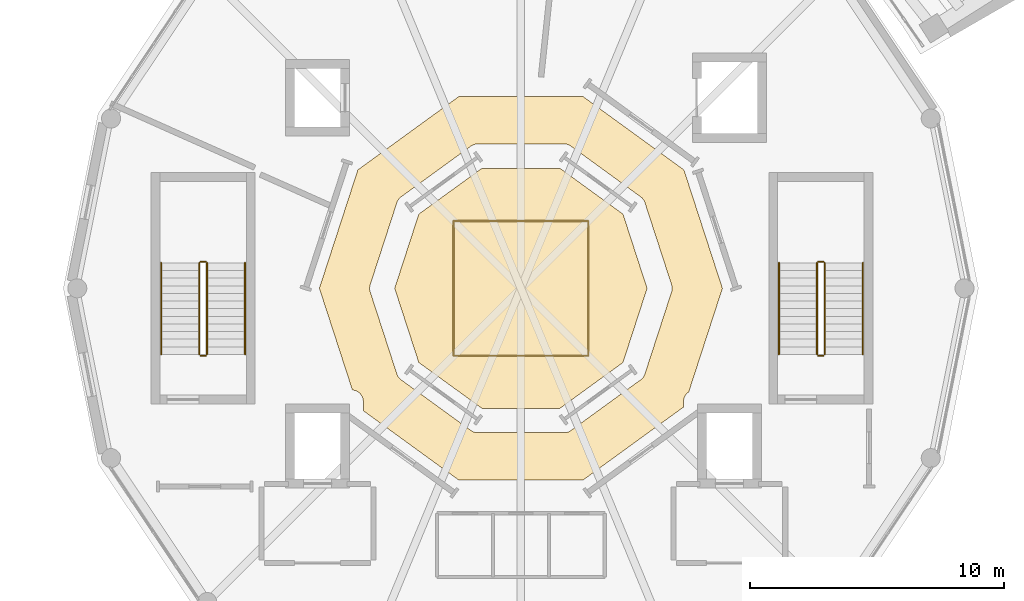
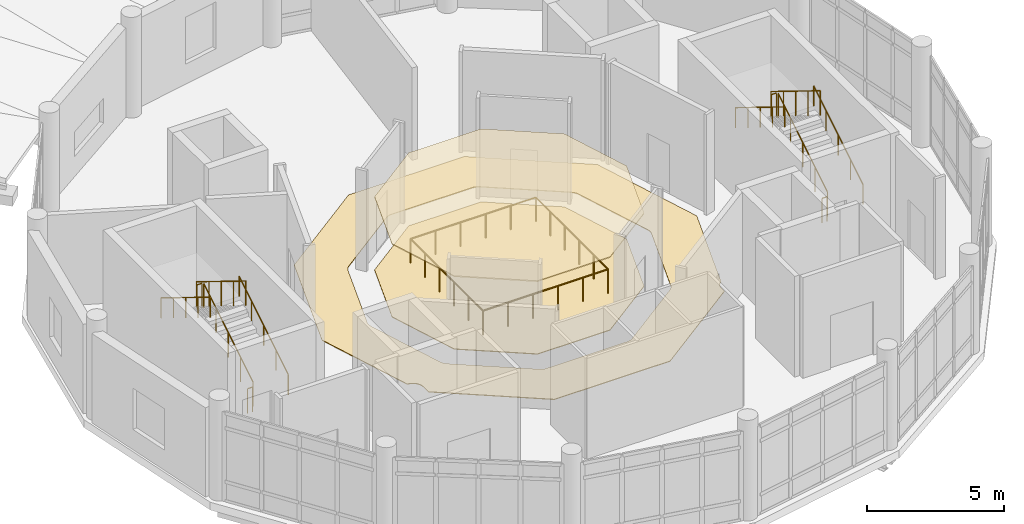
# One storey, part 25 of 27: 16 railings, 3 coverings.
"""IFC4 building model written with IfcOpenShell, lengths in metres."""

import ifcopenshell
import ifcopenshell.guid

model = None  # the IFC model being written
_history = None  # IfcOwnerHistory: only IFC2X3 demands one
_inside = {}  # id of a spatial element -> (the spatial element, [elements in it])
_under = {}  # id of a project, library or spatial element -> (it, [spatial elements below it])
_declared = {}  # id of a project -> (the project, [libraries it declares])
_typed = {}  # id of a type object -> (the type object, [elements of that type])
_made_of = {}  # id of a material, layer set ... -> (it, [elements and type objects made of it])


def new_model(schema):
    """Start an empty IFC model of exactly this schema.

    Asked for "IFC4X3", IfcOpenShell would pick the latest addendum, in which some entities
    have other attributes; the version numbers below select the first issue.
    IFC2X3 requires an IfcOwnerHistory on every rooted entity: one is made here for all.
    """
    global model, _history
    if schema == "IFC4X3":
        model = ifcopenshell.file(schema_version=(4, 3, 0, 0))
    else:
        model = ifcopenshell.file(schema=schema)
    _inside.clear()
    _under.clear()
    _declared.clear()
    _typed.clear()
    _made_of.clear()
    _history = None
    if model.schema == "IFC2X3":
        org = make("IfcOrganization", Name="unknown")
        user = make(
            "IfcPersonAndOrganization",
            ThePerson=make("IfcPerson", FamilyName="unknown"),
            TheOrganization=org,
        )
        app = make(
            "IfcApplication",
            ApplicationDeveloper=org,
            Version="unknown",
            ApplicationFullName="unknown",
            ApplicationIdentifier="unknown",
        )
        _history = make(
            "IfcOwnerHistory",
            OwningUser=user,
            OwningApplication=app,
            ChangeAction="ADDED",
            CreationDate=0,
        )
    return model


def make(cls, **values):
    """One entity of the class cls with the attributes given. An attribute that is None is left unset."""
    return model.create_entity(
        cls, **{name: value for name, value in values.items() if value is not None}
    )


def rooted(cls, **values):
    """An entity with a GlobalId (a new one), such as an element, a storey or a relation."""
    return make(cls, GlobalId=ifcopenshell.guid.new(), OwnerHistory=_history, **values)


def si_unit(unit_type, name, prefix=None):
    """IfcSIUnit, for example si_unit("LENGTHUNIT", "METRE", prefix="MILLI")."""
    return make("IfcSIUnit", UnitType=unit_type, Prefix=prefix, Name=name)


def assignment(units):
    """IfcUnitAssignment: the units of a project."""
    return None if units is None else make("IfcUnitAssignment", Units=units)


def point(xyz):
    """IfcCartesianPoint."""
    return None if xyz is None else make("IfcCartesianPoint", Coordinates=xyz)


def direction(xyz):
    """IfcDirection."""
    return None if xyz is None else make("IfcDirection", DirectionRatios=xyz)


def frame(location, z_axis=None, x_axis=None):
    """IfcAxis2Placement3D, a coordinate frame: its origin and axes. An axis left out is left unset."""
    return make(
        "IfcAxis2Placement3D",
        Location=point(location),
        Axis=direction(z_axis),
        RefDirection=direction(x_axis),
    )


def frame_2d(location, x_axis=None):
    """IfcAxis2Placement2D, a coordinate frame in the plane: its origin and x axis."""
    return make(
        "IfcAxis2Placement2D", Location=point(location), RefDirection=direction(x_axis)
    )


def origin():
    """The frame at (0, 0, 0) with its axes left unset."""
    return frame((0.0, 0.0, 0.0))


def origin_2d():
    """The frame at (0, 0) in the plane with its x axis left unset."""
    return frame_2d((0.0, 0.0))


def place(relative_to, where):
    """IfcLocalPlacement: puts the frame where relative to a parent placement (None: the world)."""
    return make(
        "IfcLocalPlacement", PlacementRelTo=relative_to, RelativePlacement=where
    )


def context(
    kind, dimensions, precision=None, world=None, true_north=None, identifier=None
):
    """IfcGeometricRepresentationContext, for example the 3D "Model" context."""
    return make(
        "IfcGeometricRepresentationContext",
        ContextIdentifier=identifier,
        ContextType=kind,
        CoordinateSpaceDimension=dimensions,
        Precision=precision,
        WorldCoordinateSystem=world,
        TrueNorth=true_north,
    )


def subcontext(parent, identifier, kind, view, scale=None):
    """IfcGeometricRepresentationSubContext, for example "Body" below "Model"."""
    return make(
        "IfcGeometricRepresentationSubContext",
        ContextIdentifier=identifier,
        ContextType=kind,
        ParentContext=parent,
        TargetScale=scale,
        TargetView=view,
    )


def project(units=None, contexts=None):
    """IfcProject with its units and contexts."""
    return rooted(
        "IfcProject",
        Name="project",
        RepresentationContexts=contexts,
        UnitsInContext=assignment(units),
    )


def spatial(cls, under=None, at=None, **own):
    """A site, building, storey or space (cls), placed at a placement, below another one or the project."""
    s = rooted(cls, ObjectPlacement=at, **own)
    if under is not None:
        _under.setdefault(under.id(), (under, []))[1].append(s)
    return s


def polyline(points):
    """IfcPolyline through the points."""
    return make("IfcPolyline", Points=[point(p) for p in points])


def profile(cls, at=None, kind="AREA", **sizes):
    """A parametric profile (cls). Its sizes go by their IFC names, for example OverallWidth=200.0."""
    return make(cls, ProfileType=kind, Position=at, **sizes)


def circle(**sizes):
    """IfcCircleProfileDef."""
    return profile("IfcCircleProfileDef", **sizes)


def outline(outer, holes=None, kind="AREA"):
    """IfcArbitraryClosedProfileDef: a profile drawn as a closed curve; with holes, ...WithVoids."""
    if holes is None:
        return make("IfcArbitraryClosedProfileDef", ProfileType=kind, OuterCurve=outer)
    return make(
        "IfcArbitraryProfileDefWithVoids",
        ProfileType=kind,
        OuterCurve=outer,
        InnerCurves=holes,
    )


def extrude(swept, where, along, depth):
    """IfcExtrudedAreaSolid: the profile swept, set in the frame where, extruded along a direction by depth."""
    return make(
        "IfcExtrudedAreaSolid",
        SweptArea=swept,
        Position=where,
        ExtrudedDirection=direction(along),
        Depth=depth,
    )


def shape(context_of_items, identifier, shape_type, items):
    """IfcShapeRepresentation: the items that make up one representation, for example the "Body"."""
    return make(
        "IfcShapeRepresentation",
        ContextOfItems=context_of_items,
        RepresentationIdentifier=identifier,
        RepresentationType=shape_type,
        Items=items,
    )


def material(Name=None, Category=None):
    """IfcMaterial."""
    return make("IfcMaterial", Name=Name, Category=Category)


def layer(
    of_material, thickness, ventilated=None, Name=None, Category=None, Priority=None
):
    """IfcMaterialLayer: one layer of a wall or slab, of a material (None: an air gap)."""
    return make(
        "IfcMaterialLayer",
        Material=of_material,
        LayerThickness=thickness,
        IsVentilated=ventilated,
        Name=Name,
        Category=Category,
        Priority=Priority,
    )


def layer_set(layers, Name=None):
    """IfcMaterialLayerSet."""
    return make("IfcMaterialLayerSet", MaterialLayers=layers, LayerSetName=Name)


def made_of(thing, what):
    """Note that an element or type object is made of a material, layer set ...; save() writes the relation."""
    if what is not None:
        _made_of.setdefault(what.id(), (what, []))[1].append(thing)
    return thing


def type_object(cls, material=None, **own):
    """A type object (cls), such as IfcWallType, which elements share."""
    return made_of(rooted(cls, **own), material)


def element(
    cls,
    number,
    at=None,
    inside=None,
    cuts=None,
    type_object=None,
    material=None,
    context=None,
    identifier="Body",
    shape_type=None,
    held_by="IfcProductDefinitionShape",
    body=None,
    shapes=None,
    **own,
):
    """One element of the class cls, such as IfcWall. Its Tag is "e" and its number.

    at: its placement. inside: the storey or other place that contains it. cuts: it is an
    opening in that element (IfcRelVoidsElement). A single representation is given by context,
    identifier, shape_type and body (its items); several are given by shapes. held_by: the class
    of the entity that holds the representations. save() writes the other relations.
    """
    e = rooted(cls, Tag="e%d" % number, ObjectPlacement=at, **own)
    if body is not None:
        shapes = [shape(context, identifier, shape_type, body)]
    if shapes is not None:
        e.Representation = make(held_by, Representations=shapes)
    if inside is not None:
        _inside.setdefault(inside.id(), (inside, []))[1].append(e)
    if cuts is not None:
        rooted(
            "IfcRelVoidsElement", RelatingBuildingElement=cuts, RelatedOpeningElement=e
        )
    if type_object is not None:
        _typed.setdefault(type_object.id(), (type_object, []))[1].append(e)
    return made_of(e, material)


def aggregate(whole, parts):
    """IfcRelAggregates: a whole, such as a stair, and the parts it consists of."""
    return rooted("IfcRelAggregates", RelatingObject=whole, RelatedObjects=parts)


def save(model, path):
    """Write the relations noted so far, then the file.

    IfcRelAggregates (storeys below a building ...), IfcRelContainedInSpatialStructure (elements
    in a storey), IfcRelDefinesByType, IfcRelAssociatesMaterial and IfcRelDeclares: one each for
    every whole, place, type object, material and project.
    """
    for whole, parts in _under.values():
        aggregate(whole, parts)
    for where, things in _inside.values():
        rooted(
            "IfcRelContainedInSpatialStructure",
            RelatedElements=things,
            RelatingStructure=where,
        )
    for kind, things in _typed.values():
        rooted("IfcRelDefinesByType", RelatedObjects=things, RelatingType=kind)
    for what, things in _made_of.values():
        rooted("IfcRelAssociatesMaterial", RelatedObjects=things, RelatingMaterial=what)
    for by, libraries in _declared.values():
        rooted("IfcRelDeclares", RelatingContext=by, RelatedDefinitions=libraries)
    model.write(path)


model = new_model("IFC4")

# Units and contexts
model_context = context("Model", 3, precision=1e-05, world=origin(), true_north=direction((0.0, 1.0)))
body_context = subcontext(model_context, "Body", "Model", "MODEL_VIEW")
ifc_project = project(units=[si_unit("LENGTHUNIT", "METRE"), si_unit("AREAUNIT", "SQUARE_METRE"), si_unit("VOLUMEUNIT", "CUBIC_METRE"), si_unit("PLANEANGLEUNIT", "RADIAN"), si_unit("MASSUNIT", "GRAM", prefix="KILO")], contexts=[model_context])

# Site, building, storey
site_placement = place(None, origin())
site = spatial("IfcSite", under=ifc_project, at=site_placement, CompositionType="ELEMENT")
building_placement = place(site_placement, origin())
building = spatial("IfcBuilding", under=site, at=building_placement, Name="Soyqirgoq Riverine Aquarium", CompositionType="ELEMENT")
storey_placement = place(building_placement, frame((0.0, 0.0, 19.800048828125)))
storey = spatial("IfcBuildingStorey", under=building, at=storey_placement, Name="L05", CompositionType="ELEMENT", Elevation=19.800048828125)

# Covering
ifc_material_1 = material(Name="Perforated mineral-fibre acoustic ceiling", Category="gypsum")
ifc_layer_1 = layer(ifc_material_1, 0.050048828125)
ifc_layer_set_1 = layer_set([ifc_layer_1], Name="Perforated mineral-fibre acoustic ceiling")
covering_type_1 = type_object("IfcCoveringType", Name="AcousticBaffleCeiling_50", PredefinedType="CEILING", material=ifc_layer_set_1)
covering_1_placement = place(storey_placement, frame((0.0, 0.0, 3.25)))
element("IfcCovering", 1, at=covering_1_placement, inside=storey, type_object=covering_type_1, Name="Ocean Tank Overhead Servicing Hall Suspended Ceiling", PredefinedType="CEILING", context=body_context, shape_type="SweptSolid", body=[
    extrude(outline(polyline([(57.533935546875, 52.279052734375), (54.466064453125, 52.279052734375), (51.98388671875, 54.08203125), (51.035888671875, 57.0), (51.98388671875, 59.91796875), (54.466064453125, 61.720947265625), (57.533935546875, 61.720947265625), (60.01611328125, 59.91796875), (60.964111328125, 57.0), (60.01611328125, 54.08203125), (57.533935546875, 52.279052734375)])), origin(), (0.0, 0.0, 1.0), 0.050048828125),
])

# Railings
ifc_material_2 = material(Name="Brushed stainless steel 316L tubular handrail", Category="steel")
railing_type_1 = type_object("IfcRailingType", Name="StairPitchHandrail_920", PredefinedType="HANDRAIL", material=ifc_material_2)
railing_1_placement = place(storey_placement, frame((69.449951171875, 54.39990234375, 0.1845703125)))
element("IfcRailing", 2, at=railing_1_placement, inside=storey, type_object=railing_type_1, Name="L05 ST-1 stair handrail 1", PredefinedType="HANDRAIL", context=body_context, shape_type="SweptSolid", body=[
    extrude(circle(Radius=0.02392578125, at=origin_2d()), frame((0.0, 0.0, 0.89990234375), z_axis=(0.0, 0.85167021472, 0.524078090897), x_axis=(-1.0, 0.0, 0.0)), (0.0, 0.0, 1.0), 4.22705078125),
    extrude(circle(Radius=0.02099609375, at=origin_2d()), origin(), (0.0, 0.0, 1.0), 0.875732421875),
    extrude(circle(Radius=0.02099609375, at=origin_2d()), frame((0.0, 0.89990234375, 0.5537109375)), (0.0, 0.0, 1.0), 0.875732421875),
    extrude(circle(Radius=0.02099609375, at=origin_2d()), frame((0.0, 1.800048828125, 1.107666015625)), (0.0, 0.0, 1.0), 0.875732421875),
    extrude(circle(Radius=0.02099609375, at=origin_2d()), frame((0.0, 2.7001953125, 1.66162109375)), (0.0, 0.0, 1.0), 0.875732421875),
    extrude(circle(Radius=0.02099609375, at=origin_2d()), frame((0.0, 3.60009765625, 2.21533203125)), (0.0, 0.0, 1.0), 0.875732421875),
])
railing_2_placement = place(storey_placement, frame((66.14990234375, 58.0, 2.58447265625)))
element("IfcRailing", 3, at=railing_2_placement, inside=storey, type_object=railing_type_1, Name="L05 ST-1 stair handrail 2", PredefinedType="HANDRAIL", context=body_context, shape_type="SweptSolid", body=[
    extrude(circle(Radius=0.02392578125, at=origin_2d()), frame((0.0, 0.0, 0.89990234375), z_axis=(0.0, -0.851644435552, 0.524119981868), x_axis=(1.0, 0.0, 0.0)), (0.0, 0.0, 1.0), 4.227294921875),
    extrude(circle(Radius=0.02099609375, at=origin_2d()), origin(), (0.0, 0.0, 1.0), 0.875732421875),
    extrude(circle(Radius=0.02099609375, at=origin_2d()), frame((0.0, -0.89990234375, 0.553955078125)), (0.0, 0.0, 1.0), 0.875732421875),
    extrude(circle(Radius=0.02099609375, at=origin_2d()), frame((0.0, -1.800048828125, 1.10791015625)), (0.0, 0.0, 1.0), 0.875732421875),
    extrude(circle(Radius=0.02099609375, at=origin_2d()), frame((0.0, -2.7001953125, 1.66162109375)), (0.0, 0.0, 1.0), 0.875732421875),
    extrude(circle(Radius=0.02099609375, at=origin_2d()), frame((0.0, -3.60009765625, 2.215576171875)), (0.0, 0.0, 1.0), 0.875732421875),
])
railing_3_placement = place(storey_placement, frame((45.14990234375, 54.39990234375, 0.1845703125)))
element("IfcRailing", 4, at=railing_3_placement, inside=storey, type_object=railing_type_1, Name="L05 ST-9 stair handrail 1", PredefinedType="HANDRAIL", context=body_context, shape_type="SweptSolid", body=[
    extrude(circle(Radius=0.02392578125, at=origin_2d()), frame((0.0, 0.0, 0.89990234375), z_axis=(0.0, 0.85167021472, 0.524078090897), x_axis=(-1.0, 0.0, 0.0)), (0.0, 0.0, 1.0), 4.22705078125),
    extrude(circle(Radius=0.02099609375, at=origin_2d()), origin(), (0.0, 0.0, 1.0), 0.875732421875),
    extrude(circle(Radius=0.02099609375, at=origin_2d()), frame((0.0, 0.89990234375, 0.5537109375)), (0.0, 0.0, 1.0), 0.875732421875),
    extrude(circle(Radius=0.02099609375, at=origin_2d()), frame((0.0, 1.800048828125, 1.107666015625)), (0.0, 0.0, 1.0), 0.875732421875),
    extrude(circle(Radius=0.02099609375, at=origin_2d()), frame((0.0, 2.7001953125, 1.66162109375)), (0.0, 0.0, 1.0), 0.875732421875),
    extrude(circle(Radius=0.02099609375, at=origin_2d()), frame((0.0, 3.60009765625, 2.21533203125)), (0.0, 0.0, 1.0), 0.875732421875),
])
railing_4_placement = place(storey_placement, frame((41.85009765625, 58.0, 2.58447265625)))
element("IfcRailing", 5, at=railing_4_placement, inside=storey, type_object=railing_type_1, Name="L05 ST-9 stair handrail 2", PredefinedType="HANDRAIL", context=body_context, shape_type="SweptSolid", body=[
    extrude(circle(Radius=0.02392578125, at=origin_2d()), frame((0.0, 0.0, 0.89990234375), z_axis=(0.0, -0.851644435552, 0.524119981868), x_axis=(1.0, 0.0, 0.0)), (0.0, 0.0, 1.0), 4.227294921875),
    extrude(circle(Radius=0.02099609375, at=origin_2d()), origin(), (0.0, 0.0, 1.0), 0.875732421875),
    extrude(circle(Radius=0.02099609375, at=origin_2d()), frame((0.0, -0.89990234375, 0.553955078125)), (0.0, 0.0, 1.0), 0.875732421875),
    extrude(circle(Radius=0.02099609375, at=origin_2d()), frame((0.0, -1.800048828125, 1.10791015625)), (0.0, 0.0, 1.0), 0.875732421875),
    extrude(circle(Radius=0.02099609375, at=origin_2d()), frame((0.0, -2.7001953125, 1.66162109375)), (0.0, 0.0, 1.0), 0.875732421875),
    extrude(circle(Radius=0.02099609375, at=origin_2d()), frame((0.0, -3.60009765625, 2.215576171875)), (0.0, 0.0, 1.0), 0.875732421875),
])
ifc_material_3 = material(Name="Painted steel infill stair-well guardrail", Category="steel")
railing_type_2 = type_object("IfcRailingType", Name="StairWellGuard_1120", PredefinedType="GUARDRAIL", material=ifc_material_3)
railing_5_placement = place(storey_placement, frame((67.949951171875, 54.39990234375, 0.1845703125)))
element("IfcRailing", 6, at=railing_5_placement, inside=storey, type_object=railing_type_2, Name="L05 ST-1 stair guard 1", PredefinedType="GUARDRAIL", context=body_context, shape_type="SweptSolid", body=[
    extrude(circle(Radius=0.02392578125, at=origin_2d()), frame((0.0, 0.0, 1.09619140625), z_axis=(0.0, 0.85167021472, 0.524078090897), x_axis=(-1.0, 0.0, 0.0)), (0.0, 0.0, 1.0), 4.22705078125),
    extrude(circle(Radius=0.02099609375, at=origin_2d()), origin(), (0.0, 0.0, 1.0), 1.072021484375),
    extrude(circle(Radius=0.02099609375, at=origin_2d()), frame((0.0, 0.89990234375, 0.5537109375)), (0.0, 0.0, 1.0), 1.072021484375),
    extrude(circle(Radius=0.02099609375, at=origin_2d()), frame((0.0, 1.800048828125, 1.107666015625)), (0.0, 0.0, 1.0), 1.072021484375),
    extrude(circle(Radius=0.02099609375, at=origin_2d()), frame((0.0, 2.7001953125, 1.66162109375)), (0.0, 0.0, 1.0), 1.072021484375),
    extrude(circle(Radius=0.02099609375, at=origin_2d()), frame((0.0, 3.60009765625, 2.21533203125)), (0.0, 0.0, 1.0), 1.072021484375),
])
railing_6_placement = place(storey_placement, frame((67.89990234375, 58.050048828125, 2.39990234375)))
element("IfcRailing", 7, at=railing_6_placement, inside=storey, type_object=railing_type_2, Name="L05 ST-1 stair guard 2", PredefinedType="GUARDRAIL", context=body_context, shape_type="SweptSolid", body=[
    extrude(circle(Radius=0.02392578125, at=origin_2d()), frame((0.0, 0.0, 1.09619140625), z_axis=(-1.0, 0.0, 0.0), x_axis=(0.0, -1.0, 0.0)), (0.0, 0.0, 1.0), 0.199951171875),
    extrude(circle(Radius=0.02099609375, at=origin_2d()), origin(), (0.0, 0.0, 1.0), 1.072021484375),
    extrude(circle(Radius=0.02099609375, at=origin_2d()), frame((-0.199951171875, 0.0, 0.0)), (0.0, 0.0, 1.0), 1.072021484375),
])
railing_7_placement = place(storey_placement, frame((67.64990234375, 58.0, 2.58447265625)))
element("IfcRailing", 8, at=railing_7_placement, inside=storey, type_object=railing_type_2, Name="L05 ST-1 stair guard 3", PredefinedType="GUARDRAIL", context=body_context, shape_type="SweptSolid", body=[
    extrude(circle(Radius=0.02392578125, at=origin_2d()), frame((0.0, 0.0, 1.09619140625), z_axis=(0.0, -0.851644435552, 0.524119981868), x_axis=(1.0, 0.0, 0.0)), (0.0, 0.0, 1.0), 4.227294921875),
    extrude(circle(Radius=0.02099609375, at=origin_2d()), origin(), (0.0, 0.0, 1.0), 1.072021484375),
    extrude(circle(Radius=0.02099609375, at=origin_2d()), frame((0.0, -0.89990234375, 0.553955078125)), (0.0, 0.0, 1.0), 1.072021484375),
    extrude(circle(Radius=0.02099609375, at=origin_2d()), frame((0.0, -1.800048828125, 1.10791015625)), (0.0, 0.0, 1.0), 1.072021484375),
    extrude(circle(Radius=0.02099609375, at=origin_2d()), frame((0.0, -2.7001953125, 1.66162109375)), (0.0, 0.0, 1.0), 1.072021484375),
    extrude(circle(Radius=0.02099609375, at=origin_2d()), frame((0.0, -3.60009765625, 2.215576171875)), (0.0, 0.0, 1.0), 1.072021484375),
])
railing_8_placement = place(storey_placement, frame((67.89990234375, 54.35009765625, 0.0)))
element("IfcRailing", 9, at=railing_8_placement, inside=storey, type_object=railing_type_2, Name="L05 ST-1 stair guard 4", PredefinedType="GUARDRAIL", context=body_context, shape_type="SweptSolid", body=[
    extrude(circle(Radius=0.02392578125, at=origin_2d()), frame((0.0, 0.0, 1.09619140625), z_axis=(-1.0, 0.0, 0.0), x_axis=(0.0, -1.0, 0.0)), (0.0, 0.0, 1.0), 0.199951171875),
    extrude(circle(Radius=0.02099609375, at=origin_2d()), origin(), (0.0, 0.0, 1.0), 1.072021484375),
    extrude(circle(Radius=0.02099609375, at=origin_2d()), frame((-0.199951171875, 0.0, 0.0)), (0.0, 0.0, 1.0), 1.072021484375),
])
railing_9_placement = place(storey_placement, frame((43.64990234375, 54.39990234375, 0.1845703125)))
element("IfcRailing", 10, at=railing_9_placement, inside=storey, type_object=railing_type_2, Name="L05 ST-9 stair guard 1", PredefinedType="GUARDRAIL", context=body_context, shape_type="SweptSolid", body=[
    extrude(circle(Radius=0.02392578125, at=origin_2d()), frame((0.0, 0.0, 1.09619140625), z_axis=(0.0, 0.85167021472, 0.524078090897), x_axis=(-1.0, 0.0, 0.0)), (0.0, 0.0, 1.0), 4.22705078125),
    extrude(circle(Radius=0.02099609375, at=origin_2d()), origin(), (0.0, 0.0, 1.0), 1.072021484375),
    extrude(circle(Radius=0.02099609375, at=origin_2d()), frame((0.0, 0.89990234375, 0.5537109375)), (0.0, 0.0, 1.0), 1.072021484375),
    extrude(circle(Radius=0.02099609375, at=origin_2d()), frame((0.0, 1.800048828125, 1.107666015625)), (0.0, 0.0, 1.0), 1.072021484375),
    extrude(circle(Radius=0.02099609375, at=origin_2d()), frame((0.0, 2.7001953125, 1.66162109375)), (0.0, 0.0, 1.0), 1.072021484375),
    extrude(circle(Radius=0.02099609375, at=origin_2d()), frame((0.0, 3.60009765625, 2.21533203125)), (0.0, 0.0, 1.0), 1.072021484375),
])
railing_10_placement = place(storey_placement, frame((43.60009765625, 58.050048828125, 2.39990234375)))
element("IfcRailing", 11, at=railing_10_placement, inside=storey, type_object=railing_type_2, Name="L05 ST-9 stair guard 2", PredefinedType="GUARDRAIL", context=body_context, shape_type="SweptSolid", body=[
    extrude(circle(Radius=0.02392578125, at=origin_2d()), frame((0.0, 0.0, 1.09619140625), z_axis=(-1.0, 0.0, 0.0), x_axis=(0.0, -1.0, 0.0)), (0.0, 0.0, 1.0), 0.2001953125),
    extrude(circle(Radius=0.02099609375, at=origin_2d()), origin(), (0.0, 0.0, 1.0), 1.072021484375),
    extrude(circle(Radius=0.02099609375, at=origin_2d()), frame((-0.2001953125, 0.0, 0.0)), (0.0, 0.0, 1.0), 1.072021484375),
])
railing_11_placement = place(storey_placement, frame((43.35009765625, 58.0, 2.58447265625)))
element("IfcRailing", 12, at=railing_11_placement, inside=storey, type_object=railing_type_2, Name="L05 ST-9 stair guard 3", PredefinedType="GUARDRAIL", context=body_context, shape_type="SweptSolid", body=[
    extrude(circle(Radius=0.02392578125, at=origin_2d()), frame((0.0, 0.0, 1.09619140625), z_axis=(0.0, -0.851644435552, 0.524119981868), x_axis=(1.0, 0.0, 0.0)), (0.0, 0.0, 1.0), 4.227294921875),
    extrude(circle(Radius=0.02099609375, at=origin_2d()), origin(), (0.0, 0.0, 1.0), 1.072021484375),
    extrude(circle(Radius=0.02099609375, at=origin_2d()), frame((0.0, -0.89990234375, 0.553955078125)), (0.0, 0.0, 1.0), 1.072021484375),
    extrude(circle(Radius=0.02099609375, at=origin_2d()), frame((0.0, -1.800048828125, 1.10791015625)), (0.0, 0.0, 1.0), 1.072021484375),
    extrude(circle(Radius=0.02099609375, at=origin_2d()), frame((0.0, -2.7001953125, 1.66162109375)), (0.0, 0.0, 1.0), 1.072021484375),
    extrude(circle(Radius=0.02099609375, at=origin_2d()), frame((0.0, -3.60009765625, 2.215576171875)), (0.0, 0.0, 1.0), 1.072021484375),
])
railing_12_placement = place(storey_placement, frame((43.60009765625, 54.35009765625, 0.0)))
element("IfcRailing", 13, at=railing_12_placement, inside=storey, type_object=railing_type_2, Name="L05 ST-9 stair guard 4", PredefinedType="GUARDRAIL", context=body_context, shape_type="SweptSolid", body=[
    extrude(circle(Radius=0.02392578125, at=origin_2d()), frame((0.0, 0.0, 1.09619140625), z_axis=(-1.0, 0.0, 0.0), x_axis=(0.0, -1.0, 0.0)), (0.0, 0.0, 1.0), 0.2001953125),
    extrude(circle(Radius=0.02099609375, at=origin_2d()), origin(), (0.0, 0.0, 1.0), 1.072021484375),
    extrude(circle(Radius=0.02099609375, at=origin_2d()), frame((-0.2001953125, 0.0, 0.0)), (0.0, 0.0, 1.0), 1.072021484375),
])
railing_13_placement = place(storey_placement, frame((53.35009765625, 54.35009765625, 0.0)))
element("IfcRailing", 14, at=railing_13_placement, inside=storey, type_object=railing_type_2, Name="V1 L05 Ocean Tank Servicing Well Guardrail 1", PredefinedType="GUARDRAIL", context=body_context, shape_type="SweptSolid", body=[
    extrude(circle(Radius=0.02392578125, at=origin_2d()), frame((0.0, 0.0, 1.09619140625), z_axis=(1.0, 0.0, 0.0), x_axis=(0.0, 1.0, 0.0)), (0.0, 0.0, 1.0), 5.2998046875),
    extrude(circle(Radius=0.02099609375, at=origin_2d()), origin(), (0.0, 0.0, 1.0), 1.072021484375),
    extrude(circle(Radius=0.02099609375, at=origin_2d()), frame((1.06005859375, 0.0, 0.0)), (0.0, 0.0, 1.0), 1.072021484375),
    extrude(circle(Radius=0.02099609375, at=origin_2d()), frame((2.119873046875, 0.0, 0.0)), (0.0, 0.0, 1.0), 1.072021484375),
    extrude(circle(Radius=0.02099609375, at=origin_2d()), frame((3.179931640625, 0.0, 0.0)), (0.0, 0.0, 1.0), 1.072021484375),
    extrude(circle(Radius=0.02099609375, at=origin_2d()), frame((4.23974609375, 0.0, 0.0)), (0.0, 0.0, 1.0), 1.072021484375),
    extrude(circle(Radius=0.02099609375, at=origin_2d()), frame((5.2998046875, 0.0, 0.0)), (0.0, 0.0, 1.0), 1.072021484375),
])
railing_14_placement = place(storey_placement, frame((58.64990234375, 54.35009765625, 0.0)))
element("IfcRailing", 15, at=railing_14_placement, inside=storey, type_object=railing_type_2, Name="V1 L05 Ocean Tank Servicing Well Guardrail 2", PredefinedType="GUARDRAIL", context=body_context, shape_type="SweptSolid", body=[
    extrude(circle(Radius=0.02392578125, at=origin_2d()), frame((0.0, 0.0, 1.09619140625), z_axis=(0.0, 1.0, 0.0), x_axis=(-1.0, 0.0, 0.0)), (0.0, 0.0, 1.0), 5.2998046875),
    extrude(circle(Radius=0.02099609375, at=origin_2d()), origin(), (0.0, 0.0, 1.0), 1.072021484375),
    extrude(circle(Radius=0.02099609375, at=origin_2d()), frame((0.0, 1.06005859375, 0.0)), (0.0, 0.0, 1.0), 1.072021484375),
    extrude(circle(Radius=0.02099609375, at=origin_2d()), frame((0.0, 2.119873046875, 0.0)), (0.0, 0.0, 1.0), 1.072021484375),
    extrude(circle(Radius=0.02099609375, at=origin_2d()), frame((0.0, 3.179931640625, 0.0)), (0.0, 0.0, 1.0), 1.072021484375),
    extrude(circle(Radius=0.02099609375, at=origin_2d()), frame((0.0, 4.23974609375, 0.0)), (0.0, 0.0, 1.0), 1.072021484375),
    extrude(circle(Radius=0.02099609375, at=origin_2d()), frame((0.0, 5.2998046875, 0.0)), (0.0, 0.0, 1.0), 1.072021484375),
])
railing_15_placement = place(storey_placement, frame((58.64990234375, 59.64990234375, 0.0)))
element("IfcRailing", 16, at=railing_15_placement, inside=storey, type_object=railing_type_2, Name="V1 L05 Ocean Tank Servicing Well Guardrail 3", PredefinedType="GUARDRAIL", context=body_context, shape_type="SweptSolid", body=[
    extrude(circle(Radius=0.02392578125, at=origin_2d()), frame((0.0, 0.0, 1.09619140625), z_axis=(-1.0, 0.0, 0.0), x_axis=(0.0, -1.0, 0.0)), (0.0, 0.0, 1.0), 5.2998046875),
    extrude(circle(Radius=0.02099609375, at=origin_2d()), origin(), (0.0, 0.0, 1.0), 1.072021484375),
    extrude(circle(Radius=0.02099609375, at=origin_2d()), frame((-1.06005859375, 0.0, 0.0)), (0.0, 0.0, 1.0), 1.072021484375),
    extrude(circle(Radius=0.02099609375, at=origin_2d()), frame((-2.119873046875, 0.0, 0.0)), (0.0, 0.0, 1.0), 1.072021484375),
    extrude(circle(Radius=0.02099609375, at=origin_2d()), frame((-3.179931640625, 0.0, 0.0)), (0.0, 0.0, 1.0), 1.072021484375),
    extrude(circle(Radius=0.02099609375, at=origin_2d()), frame((-4.23974609375, 0.0, 0.0)), (0.0, 0.0, 1.0), 1.072021484375),
    extrude(circle(Radius=0.02099609375, at=origin_2d()), frame((-5.2998046875, 0.0, 0.0)), (0.0, 0.0, 1.0), 1.072021484375),
])
railing_16_placement = place(storey_placement, frame((53.35009765625, 59.64990234375, 0.0)))
element("IfcRailing", 17, at=railing_16_placement, inside=storey, type_object=railing_type_2, Name="V1 L05 Ocean Tank Servicing Well Guardrail 4", PredefinedType="GUARDRAIL", context=body_context, shape_type="SweptSolid", body=[
    extrude(circle(Radius=0.02392578125, at=origin_2d()), frame((0.0, 0.0, 1.09619140625), z_axis=(0.0, -1.0, 0.0), x_axis=(1.0, 0.0, 0.0)), (0.0, 0.0, 1.0), 5.2998046875),
    extrude(circle(Radius=0.02099609375, at=origin_2d()), origin(), (0.0, 0.0, 1.0), 1.072021484375),
    extrude(circle(Radius=0.02099609375, at=origin_2d()), frame((0.0, -1.06005859375, 0.0)), (0.0, 0.0, 1.0), 1.072021484375),
    extrude(circle(Radius=0.02099609375, at=origin_2d()), frame((0.0, -2.119873046875, 0.0)), (0.0, 0.0, 1.0), 1.072021484375),
    extrude(circle(Radius=0.02099609375, at=origin_2d()), frame((0.0, -3.179931640625, 0.0)), (0.0, 0.0, 1.0), 1.072021484375),
    extrude(circle(Radius=0.02099609375, at=origin_2d()), frame((0.0, -4.23974609375, 0.0)), (0.0, 0.0, 1.0), 1.072021484375),
    extrude(circle(Radius=0.02099609375, at=origin_2d()), frame((0.0, -5.2998046875, 0.0)), (0.0, 0.0, 1.0), 1.072021484375),
])

# Coverings
ifc_material_4 = material(Name="Polished Chirchiq river-pebble terrazzo flooring", Category="concrete")
ifc_layer_2 = layer(ifc_material_4, 0.030029296875)
ifc_layer_set_2 = layer_set([ifc_layer_2], Name="Polished Chirchiq river-pebble terrazzo flooring")
covering_type_2 = type_object("IfcCoveringType", Name="TerrazzoFloorFinish_30", PredefinedType="FLOORING", material=ifc_layer_set_2)
covering_2_placement = place(storey_placement, origin())
element("IfcCovering", 18, at=covering_2_placement, inside=storey, type_object=covering_type_2, Name="Ocean Drum Circulation Corridor Floor Finish", PredefinedType="FLOORING", context=body_context, shape_type="SweptSolid", body=[
    extrude(outline(polyline([(48.072998046875, 57.0), (49.5869140625, 61.658935546875), (53.551025390625, 64.5390625), (58.448974609375, 64.5390625), (62.4130859375, 61.658935546875), (63.927001953125, 57.0), (62.60302734375, 52.926025390625), (62.60009765625, 52.924072265625), (62.56494140625, 52.89794921875), (62.531982421875, 52.867919921875), (62.501953125, 52.8349609375), (62.47607421875, 52.800048828125), (62.452880859375, 52.761962890625), (62.43408203125, 52.721923828125), (62.4189453125, 52.680908203125), (62.408935546875, 52.637939453125), (62.402099609375, 52.593994140625), (62.39990234375, 52.550048828125), (62.39990234375, 52.3310546875), (58.448974609375, 49.4609375), (53.551025390625, 49.4609375), (49.800048828125, 52.18603515625), (49.800048828125, 52.550048828125), (49.798095703125, 52.593994140625), (49.791015625, 52.637939453125), (49.781005859375, 52.680908203125), (49.76611328125, 52.721923828125), (49.7470703125, 52.761962890625), (49.72412109375, 52.800048828125), (49.697998046875, 52.8349609375), (49.66796875, 52.867919921875), (49.635009765625, 52.89794921875), (49.60009765625, 52.924072265625), (49.56201171875, 52.947021484375), (49.52197265625, 52.966064453125), (49.48095703125, 52.98095703125), (49.43798828125, 52.990966796875), (49.39404296875, 52.998046875), (49.373046875, 52.9990234375), (48.072998046875, 57.0)]), holes=[polyline([(60.714111328125, 60.596923828125), (60.7509765625, 60.56689453125), (60.783935546875, 60.533935546875), (60.81396484375, 60.4970703125), (60.839111328125, 60.4580078125), (60.861083984375, 60.416015625), (60.8779296875, 60.3720703125), (61.927978515625, 57.138916015625), (61.93994140625, 57.093994140625), (61.947998046875, 57.047119140625), (61.949951171875, 57.0), (61.947998046875, 56.952880859375), (61.93994140625, 56.906005859375), (61.927978515625, 56.861083984375), (60.8779296875, 53.6279296875), (60.861083984375, 53.583984375), (60.839111328125, 53.5419921875), (60.81396484375, 53.5029296875), (60.783935546875, 53.466064453125), (60.7509765625, 53.43310546875), (60.714111328125, 53.403076171875), (57.964111328125, 51.405029296875), (57.925048828125, 51.37890625), (57.883056640625, 51.35791015625), (57.839111328125, 51.341064453125), (57.79296875, 51.3291015625), (57.7470703125, 51.322021484375), (57.699951171875, 51.319091796875), (54.300048828125, 51.319091796875), (54.2529296875, 51.322021484375), (54.20703125, 51.3291015625), (54.160888671875, 51.341064453125), (54.116943359375, 51.35791015625), (54.074951171875, 51.37890625), (54.035888671875, 51.405029296875), (51.285888671875, 53.403076171875), (51.2490234375, 53.43310546875), (51.216064453125, 53.466064453125), (51.18603515625, 53.5029296875), (51.160888671875, 53.5419921875), (51.138916015625, 53.583984375), (51.1220703125, 53.6279296875), (50.072021484375, 56.861083984375), (50.06005859375, 56.906005859375), (50.052001953125, 56.952880859375), (50.050048828125, 57.0), (50.052001953125, 57.047119140625), (50.06005859375, 57.093994140625), (50.072021484375, 57.138916015625), (51.1220703125, 60.3720703125), (51.138916015625, 60.416015625), (51.160888671875, 60.4580078125), (51.18603515625, 60.4970703125), (51.216064453125, 60.533935546875), (51.2490234375, 60.56689453125), (51.285888671875, 60.596923828125), (54.035888671875, 62.594970703125), (54.074951171875, 62.62109375), (54.116943359375, 62.64208984375), (54.160888671875, 62.658935546875), (54.20703125, 62.6708984375), (54.2529296875, 62.677978515625), (54.300048828125, 62.680908203125), (57.699951171875, 62.680908203125), (57.7470703125, 62.677978515625), (57.79296875, 62.6708984375), (57.839111328125, 62.658935546875), (57.883056640625, 62.64208984375), (57.925048828125, 62.62109375), (57.964111328125, 62.594970703125), (60.714111328125, 60.596923828125)])]), origin(), (0.0, 0.0, 1.0), 0.030029296875),
])
covering_3_placement = place(storey_placement, origin())
element("IfcCovering", 19, at=covering_3_placement, inside=storey, type_object=covering_type_2, Name="Ocean Tank Overhead Servicing Hall Floor Finish", PredefinedType="FLOORING", context=body_context, shape_type="SweptSolid", body=[
    extrude(outline(polyline([(57.533935546875, 52.279052734375), (54.466064453125, 52.279052734375), (51.98388671875, 54.08203125), (51.035888671875, 57.0), (51.98388671875, 59.91796875), (54.466064453125, 61.720947265625), (57.533935546875, 61.720947265625), (60.01611328125, 59.91796875), (60.964111328125, 57.0), (60.01611328125, 54.08203125), (57.533935546875, 52.279052734375)])), origin(), (0.0, 0.0, 1.0), 0.030029296875),
])

save(model, "model.ifc")
